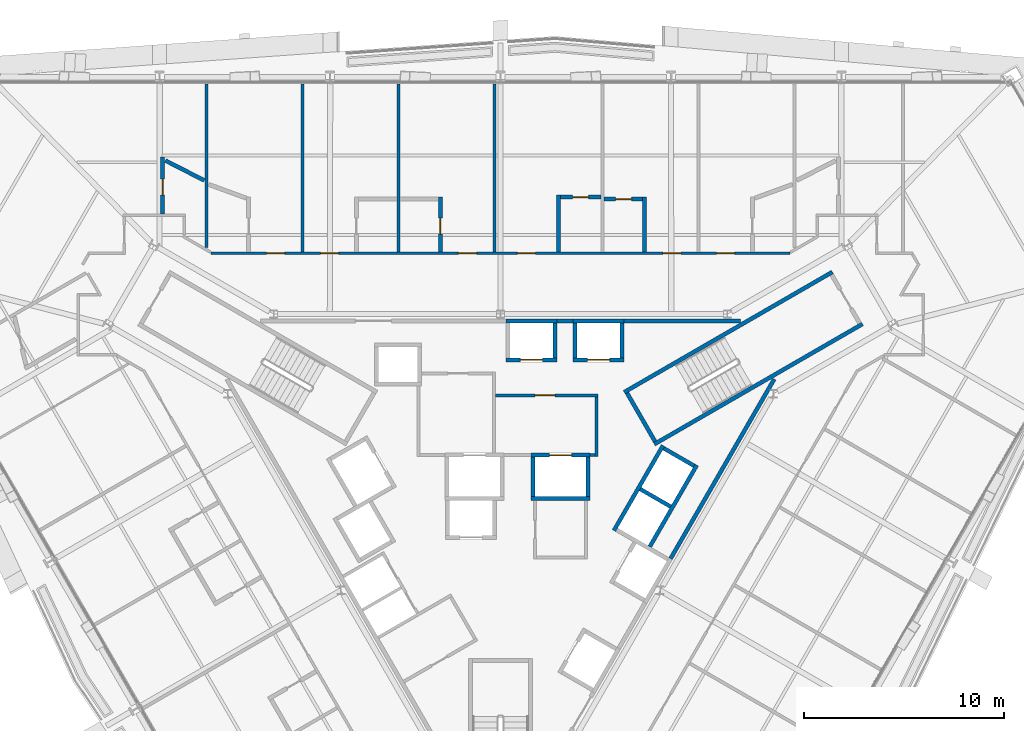
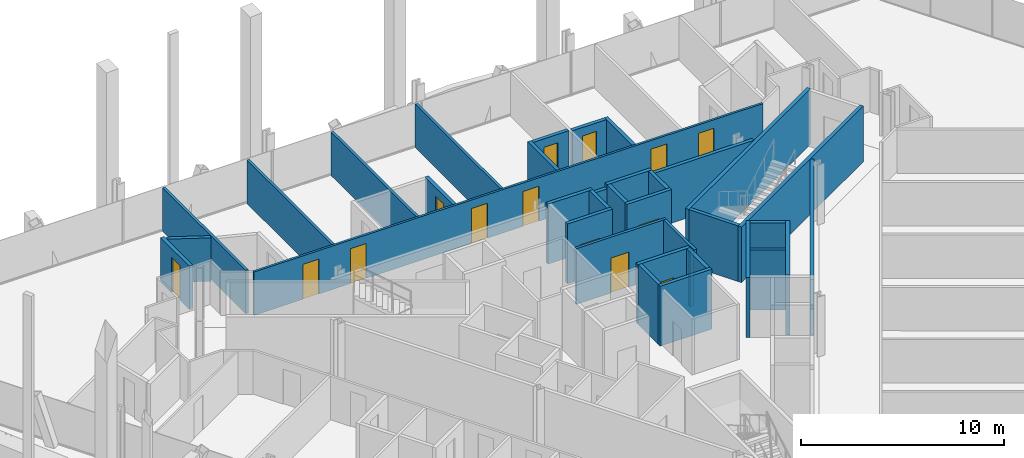
# One storey, part 14 of 18: 36 walls, 14 doors, 14 openings.
"""IFC4 building model written with IfcOpenShell, lengths in metres."""

from ifc_helpers import new_model, si_unit, direction, frame, frame_2d, origin, place, context, subcontext, project, spatial, rectangle, extrude, material, layer, layer_set, type_object, element, fill, save


model = new_model("IFC4")

# Units and contexts
model_context = context("Model", 3, precision=1e-05, world=origin(), true_north=direction((0.0, 1.0)))
body_context = subcontext(model_context, "Body", "Model", "MODEL_VIEW")
ifc_project = project(units=[si_unit("LENGTHUNIT", "METRE"), si_unit("AREAUNIT", "SQUARE_METRE"), si_unit("VOLUMEUNIT", "CUBIC_METRE"), si_unit("PLANEANGLEUNIT", "RADIAN"), si_unit("MASSUNIT", "GRAM", prefix="KILO")], contexts=[model_context])

# Site, building, storey
site_placement = place(None, origin())
site = spatial("IfcSite", under=ifc_project, at=site_placement, CompositionType="ELEMENT")
building_placement = place(site_placement, origin())
building = spatial("IfcBuilding", under=site, at=building_placement, Name="Verrane Prism Tower", CompositionType="ELEMENT")
storey_placement = place(building_placement, frame((0.0, 0.0, 47.60009765625)))
storey = spatial("IfcBuildingStorey", under=building, at=storey_placement, Name="L09", CompositionType="ELEMENT", Elevation=47.60009765625)

# Walls
ifc_material_1 = material(Name="Gypsum board partition", Category="other")
ifc_layer_1 = layer(ifc_material_1, 0.199951171875)
ifc_layer_set_1 = layer_set([ifc_layer_1], Name="CW-200 core boundary wall 2 h")
wall_type_1 = type_object("IfcWallType", Name="CW-200 core boundary wall 2 h", PredefinedType="PARTITIONING", material=ifc_layer_set_1)
wall_1_placement = place(storey_placement, frame((2.81689453125, 8.860107421875, 0.0), z_axis=(0.0, 0.0, 1.0), x_axis=(1.0, 0.0, 0.0)))
element("IfcWall", 1, at=wall_1_placement, inside=storey, type_object=wall_type_1, Name="Core boundary wall CW3-004", PredefinedType="PARTITIONING", context=body_context, shape_type="SweptSolid", body=[
    extrude(rectangle(XDim=0.80615234375, YDim=0.199951171875, at=frame_2d((0.403076171875, 0.0))), origin(), (0.0, 0.0, 1.0), 3.349853515625),
])
wall_2_placement = place(storey_placement, frame((6.177001953125, 8.860107421875, 0.0), z_axis=(0.0, 0.0, 1.0), x_axis=(1.0, 0.0, 0.0)))
element("IfcWall", 2, at=wall_2_placement, inside=storey, type_object=wall_type_1, Name="Core boundary wall CW3-006", PredefinedType="PARTITIONING", context=body_context, shape_type="SweptSolid", body=[
    extrude(rectangle(XDim=5.81396484375, YDim=0.199951171875, at=frame_2d((2.906982421875, 0.0))), origin(), (0.0, 0.0, 1.0), 3.349853515625),
])
wall_3_placement = place(storey_placement, frame((8.491943359375, -3.011962890625, 0.0), z_axis=(0.0, 0.0, 1.0), x_axis=(0.499972957231, 0.866041016371, 0.0)))
element("IfcWall", 3, at=wall_3_placement, inside=storey, type_object=wall_type_1, Name="Core boundary wall CW3-007", PredefinedType="PARTITIONING", context=body_context, shape_type="SweptSolid", body=[
    extrude(rectangle(XDim=10.3486328125, YDim=0.199951171875, at=frame_2d((5.17431640625, 0.0))), origin(), (0.0, 0.0, 1.0), 3.349853515625),
])
ifc_material_2 = material(Name="Concrete C40/50", Category="concrete")
ifc_layer_2 = layer(ifc_material_2, 0.199951171875)
ifc_layer_set_2 = layer_set([ifc_layer_2], Name="CW-200 stair core wall concrete C40/50 3 h")
wall_type_2 = type_object("IfcWallType", Name="CW-200 stair core wall concrete C40/50 3 h", PredefinedType="PARTITIONING", material=ifc_layer_set_2)
for number, where, z_axis, x_axis, name in (
    (4, (6.17822265625, 5.299072265625, 0.0), (0.0, 0.0, 1.0), (0.866026010844, 0.49999894854, 0.0), "Stair 1 enclosure wall"),
    (5, (7.67822265625, 2.700927734375, 0.0), (0.0, 0.0, 1.0), (0.866026010844, 0.49999894854, 0.0), "Stair 1 enclosure wall"),
):
    element("IfcWall", number, at=place(storey_placement, frame(where, z_axis=z_axis, x_axis=x_axis)), inside=storey, type_object=wall_type_2, Name=name, PredefinedType="PARTITIONING", context=body_context, shape_type="SweptSolid", body=[
        extrude(rectangle(XDim=12.0, YDim=0.199951171875, at=frame_2d((6.0, 0.0))), origin(), (0.0, 0.0, 1.0), 3.349853515625),
    ])
wall_4_placement = place(storey_placement, frame((7.71484375, 2.837646484375, 0.0), z_axis=(0.0, 0.0, 1.0), x_axis=(-0.500049511043, 0.865996816683, 0.0)))
element("IfcWall", 6, at=wall_4_placement, inside=storey, type_object=wall_type_2, Name="Stair 1 enclosure wall", PredefinedType="PARTITIONING", context=body_context, shape_type="SweptSolid", body=[
    extrude(rectangle(XDim=2.800048828125, YDim=0.199951171875, at=frame_2d((1.39990234375, 0.0))), origin(), (0.0, 0.0, 1.0), 3.349853515625),
])
ifc_material_3 = material(Name="Gypsum board shaft wall assembly", Category="other")
ifc_layer_3 = layer(ifc_material_3, 0.199951171875)
ifc_layer_set_3 = layer_set([ifc_layer_3], Name="HW-200 lift shaft wall 2 h")
wall_type_3 = type_object("IfcWallType", Name="HW-200 lift shaft wall 2 h", PredefinedType="PARTITIONING", material=ifc_layer_set_3)
wall_5_placement = place(storey_placement, frame((1.52490234375, 0.0, 0.0), z_axis=(0.0, 0.0, 1.0), x_axis=(1.0, 0.0, 0.0)))
element("IfcWall", 7, at=wall_5_placement, inside=storey, type_object=wall_type_3, Name="Lift shaft wall", PredefinedType="PARTITIONING", context=body_context, shape_type="SweptSolid", body=[
    extrude(rectangle(XDim=2.9501953125, YDim=0.199951171875, at=frame_2d((1.47509765625, 0.0))), origin(), (0.0, 0.0, 1.0), 3.599853515625),
])

# Wall, opening, door
wall_6_placement = place(storey_placement, frame((1.52490234375, 2.14990234375, 0.0), z_axis=(0.0, 0.0, 1.0), x_axis=(1.0, 0.0, 0.0)))
wall_6 = element("IfcWall", 8, at=wall_6_placement, inside=storey, type_object=wall_type_3, Name="Lift shaft wall", PredefinedType="PARTITIONING", context=body_context, shape_type="SweptSolid", body=[
    extrude(rectangle(XDim=2.9501953125, YDim=0.199951171875, at=frame_2d((1.47509765625, 0.0))), origin(), (0.0, 0.0, 1.0), 3.599853515625),
])
opening_1_placement = place(wall_6_placement, frame((0.925048828125, 0.0, 0.0)))
opening_1 = element("IfcOpeningElement", 9, at=opening_1_placement, cuts=wall_6, Name="Opening D09509", PredefinedType="OPENING", context=body_context, shape_type="SweptSolid", body=[
    extrude(rectangle(XDim=1.10009765625, YDim=2.10009765625, at=frame_2d((0.550048828125, 1.050048828125))), frame((0.0, 0.10986328125, 0.0), z_axis=(0.0, -1.0, 0.0), x_axis=(1.0, 0.0, 0.0)), (0.0, 0.0, 1.0), 0.219970703125),
])
ifc_material_4 = material(Name="Stainless steel sliding landing door", Category="steel")
door_type_1 = type_object("IfcDoorType", Name="LD-1100x2100 lift landing door FD90 sliding", OperationType="NOTDEFINED", PredefinedType="DOOR", material=ifc_material_4)
door_1_placement = place(opening_1_placement, origin())
door_1 = element("IfcDoor", 10, at=door_1_placement, inside=storey, type_object=door_type_1, Name="Fire service lift 2 landing door", OperationType="SLIDING_TO_RIGHT", OverallHeight=2.10009765625, OverallWidth=1.10009765625, PredefinedType="DOOR", context=body_context, shape_type="SweptSolid", body=[
    extrude(rectangle(XDim=1.10009765625, YDim=2.10009765625, at=frame_2d((0.550048828125, 1.050048828125))), frame((0.0, 0.02490234375, 0.0), z_axis=(0.0, -1.0, 0.0), x_axis=(1.0, 0.0, 0.0)), (0.0, 0.0, 1.0), 0.050048828125),
])
fill(opening_1, door_1)

wall_7_placement = place(storey_placement, frame((0.264892578125, 6.909912109375, 0.0), z_axis=(0.0, 0.0, 1.0), x_axis=(1.0, 0.0, 0.0)))
wall_7 = element("IfcWall", 11, at=wall_7_placement, inside=storey, type_object=wall_type_3, Name="Lift shaft wall", PredefinedType="PARTITIONING", context=body_context, shape_type="SweptSolid", body=[
    extrude(rectangle(XDim=2.550048828125, YDim=0.199951171875, at=frame_2d((1.27490234375, 0.0))), origin(), (0.0, 0.0, 1.0), 3.599853515625),
])
opening_2_placement = place(wall_7_placement, frame((0.72509765625, 0.0, 0.0)))
opening_2 = element("IfcOpeningElement", 12, at=opening_2_placement, cuts=wall_7, Name="Opening D09503", PredefinedType="OPENING", context=body_context, shape_type="SweptSolid", body=[
    extrude(rectangle(XDim=1.10009765625, YDim=2.10009765625, at=frame_2d((0.550048828125, 1.050048828125))), frame((0.0, 0.10986328125, 0.0), z_axis=(0.0, -1.0, 0.0), x_axis=(1.0, 0.0, 0.0)), (0.0, 0.0, 1.0), 0.219970703125),
])
door_2_placement = place(opening_2_placement, origin())
door_2 = element("IfcDoor", 13, at=door_2_placement, inside=storey, type_object=door_type_1, Name="Bank A lift 1 landing door", OperationType="SLIDING_TO_LEFT", OverallHeight=2.10009765625, OverallWidth=1.10009765625, PredefinedType="DOOR", context=body_context, shape_type="SweptSolid", body=[
    extrude(rectangle(XDim=1.10009765625, YDim=2.10009765625, at=frame_2d((0.550048828125, 1.050048828125))), frame((0.0, 0.02490234375, 0.0), z_axis=(0.0, -1.0, 0.0), x_axis=(1.0, 0.0, 0.0)), (0.0, 0.0, 1.0), 0.050048828125),
])
fill(opening_2, door_2)

wall_8_placement = place(storey_placement, frame((3.625, 6.909912109375, 0.0), z_axis=(0.0, 0.0, 1.0), x_axis=(1.0, 0.0, 0.0)))
wall_8 = element("IfcWall", 14, at=wall_8_placement, inside=storey, type_object=wall_type_3, Name="Lift shaft wall", PredefinedType="PARTITIONING", context=body_context, shape_type="SweptSolid", body=[
    extrude(rectangle(XDim=2.550048828125, YDim=0.199951171875, at=frame_2d((1.27490234375, 0.0))), origin(), (0.0, 0.0, 1.0), 3.599853515625),
])
opening_3_placement = place(wall_8_placement, frame((0.72509765625, 0.0, 0.0)))
opening_3 = element("IfcOpeningElement", 15, at=opening_3_placement, cuts=wall_8, Name="Opening D09505", PredefinedType="OPENING", context=body_context, shape_type="SweptSolid", body=[
    extrude(rectangle(XDim=1.10009765625, YDim=2.10009765625, at=frame_2d((0.550048828125, 1.050048828125))), frame((0.0, 0.10986328125, 0.0), z_axis=(0.0, -1.0, 0.0), x_axis=(1.0, 0.0, 0.0)), (0.0, 0.0, 1.0), 0.219970703125),
])
door_3_placement = place(opening_3_placement, origin())
door_3 = element("IfcDoor", 16, at=door_3_placement, inside=storey, type_object=door_type_1, Name="Bank A lift 3 landing door", OperationType="SLIDING_TO_LEFT", OverallHeight=2.10009765625, OverallWidth=1.10009765625, PredefinedType="DOOR", context=body_context, shape_type="SweptSolid", body=[
    extrude(rectangle(XDim=1.10009765625, YDim=2.10009765625, at=frame_2d((0.550048828125, 1.050048828125))), frame((0.0, 0.02490234375, 0.0), z_axis=(0.0, -1.0, 0.0), x_axis=(1.0, 0.0, 0.0)), (0.0, 0.0, 1.0), 0.050048828125),
])
fill(opening_3, door_3)

# Walls
for number, where, z_axis, x_axis, name in (
    (17, (0.264892578125, 8.860107421875, 0.0), (0.0, 0.0, 1.0), (1.0, 0.0, 0.0), "Lift shaft wall"),
    (18, (3.625, 8.860107421875, 0.0), (0.0, 0.0, 1.0), (1.0, 0.0, 0.0), "Lift shaft wall"),
):
    element("IfcWall", number, at=place(storey_placement, frame(where, z_axis=z_axis, x_axis=x_axis)), inside=storey, type_object=wall_type_3, Name=name, PredefinedType="PARTITIONING", context=body_context, shape_type="SweptSolid", body=[
        extrude(rectangle(XDim=2.550048828125, YDim=0.199951171875, at=frame_2d((1.27490234375, 0.0))), origin(), (0.0, 0.0, 1.0), 3.599853515625),
    ])
wall_9_placement = place(storey_placement, frame((7.451171875, -2.4140625, 0.0), z_axis=(0.0, 0.0, 1.0), x_axis=(0.500016218704, 0.866016039709, 0.0)))
element("IfcWall", 19, at=wall_9_placement, inside=storey, type_object=wall_type_3, Name="Lift shaft wall", PredefinedType="PARTITIONING", context=body_context, shape_type="SweptSolid", body=[
    extrude(rectangle(XDim=4.699951171875, YDim=0.199951171875, at=frame_2d((2.35009765625, 0.0))), origin(), (0.0, 0.0, 1.0), 3.599853515625),
])
wall_10_placement = place(storey_placement, frame((5.66259765625, -1.6123046875, 0.0), z_axis=(0.0, 0.0, 1.0), x_axis=(0.49998122708, 0.866036242063, 0.0)))
element("IfcWall", 20, at=wall_10_placement, inside=storey, type_object=wall_type_3, Name="Lift shaft wall", PredefinedType="PARTITIONING", context=body_context, shape_type="SweptSolid", body=[
    extrude(rectangle(XDim=4.900146484375, YDim=0.199951171875, at=frame_2d((2.4501953125, 0.0))), origin(), (0.0, 0.0, 1.0), 3.599853515625),
])
wall_11_placement = place(storey_placement, frame((6.074951171875, 7.010009765625, 0.0), z_axis=(0.0, 0.0, 1.0), x_axis=(0.0, 1.0, 0.0)))
element("IfcWall", 21, at=wall_11_placement, inside=storey, type_object=wall_type_3, Name="Lift shaft wall", PredefinedType="PARTITIONING", context=body_context, shape_type="SweptSolid", body=[
    extrude(rectangle(XDim=1.75, YDim=0.199951171875, at=frame_2d((0.875, 0.0))), origin(), (0.0, 0.0, 1.0), 3.599853515625),
])
wall_12_placement = place(storey_placement, frame((4.375, 0.10009765625, 0.0), z_axis=(0.0, 0.0, 1.0), x_axis=(0.0, 1.0, 0.0)))
element("IfcWall", 22, at=wall_12_placement, inside=storey, type_object=wall_type_3, Name="Lift shaft wall", PredefinedType="PARTITIONING", context=body_context, shape_type="SweptSolid", body=[
    extrude(rectangle(XDim=1.949951171875, YDim=0.199951171875, at=frame_2d((0.97509765625, 0.0))), origin(), (0.0, 0.0, 1.0), 3.599853515625),
])
for number, where, z_axis, x_axis, name in (
    (23, (3.72509765625, 7.010009765625, 0.0), (0.0, 0.0, 1.0), (0.0, 1.0, 0.0), "Lift shaft wall"),
    (24, (2.715087890625, 7.010009765625, 0.0), (0.0, 0.0, 1.0), (0.0, 1.0, 0.0), "Lift shaft wall"),
):
    element("IfcWall", number, at=place(storey_placement, frame(where, z_axis=z_axis, x_axis=x_axis)), inside=storey, type_object=wall_type_3, Name=name, PredefinedType="PARTITIONING", context=body_context, shape_type="SweptSolid", body=[
        extrude(rectangle(XDim=1.75, YDim=0.199951171875, at=frame_2d((0.875, 0.0))), origin(), (0.0, 0.0, 1.0), 3.599853515625),
    ])
wall_13_placement = place(storey_placement, frame((1.625, 0.10009765625, 0.0), z_axis=(0.0, 0.0, 1.0), x_axis=(0.0, 1.0, 0.0)))
element("IfcWall", 25, at=wall_13_placement, inside=storey, type_object=wall_type_3, Name="Lift shaft wall", PredefinedType="PARTITIONING", context=body_context, shape_type="SweptSolid", body=[
    extrude(rectangle(XDim=1.949951171875, YDim=0.199951171875, at=frame_2d((0.97509765625, 0.0))), origin(), (0.0, 0.0, 1.0), 3.599853515625),
])
wall_14_placement = place(storey_placement, frame((9.66455078125, 1.61962890625, 0.0), z_axis=(0.0, 0.0, 1.0), x_axis=(-0.866002029911, 0.500040482552, 0.0)))
element("IfcWall", 26, at=wall_14_placement, inside=storey, type_object=wall_type_3, Name="Lift shaft wall", PredefinedType="PARTITIONING", context=body_context, shape_type="SweptSolid", body=[
    extrude(rectangle(XDim=1.749755859375, YDim=0.199951171875, at=frame_2d((0.875, 0.0))), origin(), (0.0, 0.0, 1.0), 3.599853515625),
])
wall_15_placement = place(storey_placement, frame((8.48974609375, -0.41552734375, 0.0), z_axis=(0.0, 0.0, 1.0), x_axis=(-0.866036909293, 0.499980071345, 0.0)))
element("IfcWall", 27, at=wall_15_placement, inside=storey, type_object=wall_type_3, Name="Lift shaft wall", PredefinedType="PARTITIONING", context=body_context, shape_type="SweptSolid", body=[
    extrude(rectangle(XDim=1.75, YDim=0.199951171875, at=frame_2d((0.875, 0.0))), origin(), (0.0, 0.0, 1.0), 3.599853515625),
])

# Wall, opening, door
ifc_material_5 = material(Name="Gypsum board partition", Category="other")
ifc_layer_4 = layer(ifc_material_5, 0.14990234375)
ifc_layer_set_4 = layer_set([ifc_layer_4], Name="LF-150 firefighting lobby wall 1 h")
wall_type_4 = type_object("IfcWallType", Name="LF-150 firefighting lobby wall 1 h", PredefinedType="PARTITIONING", material=ifc_layer_set_4)
wall_16_placement = place(storey_placement, frame((-0.2451171875, 5.139892578125, 0.0), z_axis=(0.0, 0.0, 1.0), x_axis=(1.0, 0.0, 0.0)))
wall_16 = element("IfcWall", 28, at=wall_16_placement, inside=storey, type_object=wall_type_4, Name="Firefighting lobby wall LF1-005", PredefinedType="PARTITIONING", context=body_context, shape_type="SweptSolid", body=[
    extrude(rectangle(XDim=5.110107421875, YDim=0.14990234375, at=frame_2d((2.55517578125, 0.0))), origin(), (0.0, 0.0, 1.0), 3.349853515625),
])
opening_4_placement = place(wall_16_placement, frame((1.97509765625, 0.0, 0.0)))
opening_4 = element("IfcOpeningElement", 29, at=opening_4_placement, cuts=wall_16, Name="Opening D09516", PredefinedType="OPENING", context=body_context, shape_type="SweptSolid", body=[
    extrude(rectangle(XDim=1.0, YDim=2.10009765625, at=frame_2d((0.5, 1.050048828125))), frame((0.0, 0.0849609375, 0.0), z_axis=(0.0, -1.0, 0.0), x_axis=(1.0, 0.0, 0.0)), (0.0, 0.0, 1.0), 0.169921875),
])
ifc_material_6 = material(Name="Timber veneered door leaf", Category="wood")
door_type_2 = type_object("IfcDoorType", Name="DR-1000x2100 FD60 single leaf firefighting lobby", OperationType="NOTDEFINED", PredefinedType="DOOR", material=ifc_material_6)
door_4_placement = place(opening_4_placement, origin())
door_4 = element("IfcDoor", 30, at=door_4_placement, inside=storey, type_object=door_type_2, Name="Firefighting lobby door D09516", OperationType="SINGLE_SWING_RIGHT", OverallHeight=2.10009765625, OverallWidth=1.0, PredefinedType="DOOR", context=body_context, shape_type="SweptSolid", body=[
    extrude(rectangle(XDim=1.0, YDim=2.10009765625, at=frame_2d((0.5, 1.050048828125))), frame((0.0, 0.02490234375, 0.0), z_axis=(0.0, -1.0, 0.0), x_axis=(1.0, 0.0, 0.0)), (0.0, 0.0, 1.0), 0.050048828125),
])
fill(opening_4, door_4)

# Walls
wall_17_placement = place(storey_placement, frame((4.47705078125, 2.159912109375, 0.0), z_axis=(0.0, 0.0, 1.0), x_axis=(1.0, 0.0, 0.0)))
element("IfcWall", 31, at=wall_17_placement, inside=storey, type_object=wall_type_4, Name="Firefighting lobby wall LF1-007", PredefinedType="PARTITIONING", context=body_context, shape_type="SweptSolid", body=[
    extrude(rectangle(XDim=0.238037109375, YDim=0.14990234375, at=frame_2d((0.119140625, 0.0))), origin(), (0.0, 0.0, 1.0), 3.349853515625),
])
wall_18_placement = place(storey_placement, frame((4.7900390625, 2.0849609375, 0.0), z_axis=(0.0, 0.0, 1.0), x_axis=(0.0, 1.0, 0.0)))
element("IfcWall", 32, at=wall_18_placement, inside=storey, type_object=wall_type_4, Name="Firefighting lobby wall LF1-008", PredefinedType="PARTITIONING", context=body_context, shape_type="SweptSolid", body=[
    extrude(rectangle(XDim=2.97998046875, YDim=0.14990234375, at=frame_2d((1.489990234375, 0.0))), origin(), (0.0, 0.0, 1.0), 3.349853515625),
])

# Wall, openings, doors
ifc_material_7 = material(Name="Gypsum board partition", Category="other")
ifc_layer_5 = layer(ifc_material_7, 0.125)
ifc_layer_set_5 = layer_set([ifc_layer_5], Name="PW-125 corridor wall 1 h")
wall_type_5 = type_object("IfcWallType", Name="PW-125 corridor wall 1 h", PredefinedType="PARTITIONING", material=ifc_layer_set_5)
wall_19_placement = place(storey_placement, frame((-14.464599609375, 12.240966796875, 0.0), z_axis=(0.0, 0.0, 1.0), x_axis=(1.0, 0.0, 0.0)))
wall_19 = element("IfcWall", 33, at=wall_19_placement, inside=storey, type_object=wall_type_5, Name="Corridor wall 028", PredefinedType="PARTITIONING", context=body_context, shape_type="SweptSolid", body=[
    extrude(rectangle(XDim=28.92919921875, YDim=0.125, at=frame_2d((14.464599609375, 0.0))), origin(), (0.0, 0.0, 1.0), 2.61279296875),
])
opening_5_placement = place(wall_19_placement, frame((25.25244140625, 0.0, 0.0)))
opening_5 = element("IfcOpeningElement", 34, at=opening_5_placement, cuts=wall_19, Name="Opening D09012", PredefinedType="OPENING", context=body_context, shape_type="SweptSolid", body=[
    extrude(rectangle(XDim=0.89990234375, YDim=2.10009765625, at=frame_2d((0.449951171875, 1.050048828125))), frame((0.0, 0.072509765625, 0.0), z_axis=(0.0, -1.0, 0.0), x_axis=(1.0, 0.0, 0.0)), (0.0, 0.0, 1.0), 0.14501953125),
])
opening_6_placement = place(wall_19_placement, frame((22.564453125, 0.0, 0.0)))
opening_6 = element("IfcOpeningElement", 35, at=opening_6_placement, cuts=wall_19, Name="Opening D09014", PredefinedType="OPENING", context=body_context, shape_type="SweptSolid", body=[
    extrude(rectangle(XDim=0.89990234375, YDim=2.10009765625, at=frame_2d((0.449951171875, 1.050048828125))), frame((0.0, 0.072509765625, 0.0), z_axis=(0.0, -1.0, 0.0), x_axis=(1.0, 0.0, 0.0)), (0.0, 0.0, 1.0), 0.14501953125),
])
opening_7_placement = place(wall_19_placement, frame((15.302490234375, 0.0, 0.0)))
opening_7 = element("IfcOpeningElement", 36, at=opening_7_placement, cuts=wall_19, Name="Opening D09016", PredefinedType="OPENING", context=body_context, shape_type="SweptSolid", body=[
    extrude(rectangle(XDim=0.89990234375, YDim=2.10009765625, at=frame_2d((0.449951171875, 1.050048828125))), frame((0.0, 0.072509765625, 0.0), z_axis=(0.0, -1.0, 0.0), x_axis=(1.0, 0.0, 0.0)), (0.0, 0.0, 1.0), 0.14501953125),
])
opening_8_placement = place(wall_19_placement, frame((12.364501953125, 0.0, 0.0)))
opening_8 = element("IfcOpeningElement", 37, at=opening_8_placement, cuts=wall_19, Name="Opening D09018", PredefinedType="OPENING", context=body_context, shape_type="SweptSolid", body=[
    extrude(rectangle(XDim=0.89990234375, YDim=2.10009765625, at=frame_2d((0.449951171875, 1.050048828125))), frame((0.0, 0.072509765625, 0.0), z_axis=(0.0, -1.0, 0.0), x_axis=(1.0, 0.0, 0.0)), (0.0, 0.0, 1.0), 0.14501953125),
])
opening_9_placement = place(wall_19_placement, frame((5.4765625, 0.0, 0.0)))
opening_9 = element("IfcOpeningElement", 38, at=opening_9_placement, cuts=wall_19, Name="Opening D09020", PredefinedType="OPENING", context=body_context, shape_type="SweptSolid", body=[
    extrude(rectangle(XDim=0.89990234375, YDim=2.10009765625, at=frame_2d((0.449951171875, 1.050048828125))), frame((0.0, 0.072509765625, 0.0), z_axis=(0.0, -1.0, 0.0), x_axis=(1.0, 0.0, 0.0)), (0.0, 0.0, 1.0), 0.14501953125),
])
opening_10_placement = place(wall_19_placement, frame((2.78857421875, 0.0, 0.0)))
opening_10 = element("IfcOpeningElement", 39, at=opening_10_placement, cuts=wall_19, Name="Opening D09022", PredefinedType="OPENING", context=body_context, shape_type="SweptSolid", body=[
    extrude(rectangle(XDim=0.89990234375, YDim=2.10009765625, at=frame_2d((0.449951171875, 1.050048828125))), frame((0.0, 0.072509765625, 0.0), z_axis=(0.0, -1.0, 0.0), x_axis=(1.0, 0.0, 0.0)), (0.0, 0.0, 1.0), 0.14501953125),
])
ifc_material_8 = material(Name="Timber veneered door leaf", Category="wood")
door_type_3 = type_object("IfcDoorType", Name="DR-900x2100 FD20 single leaf unit", OperationType="NOTDEFINED", PredefinedType="DOOR", material=ifc_material_8)
door_5_placement = place(opening_5_placement, origin())
door_5 = element("IfcDoor", 40, at=door_5_placement, inside=storey, type_object=door_type_3, Name="Guest Room door", OperationType="SINGLE_SWING_RIGHT", OverallHeight=2.10009765625, OverallWidth=0.89990234375, PredefinedType="DOOR", context=body_context, shape_type="SweptSolid", body=[
    extrude(rectangle(XDim=0.89990234375, YDim=2.10009765625, at=frame_2d((0.449951171875, 1.050048828125))), frame((0.0, 0.02490234375, 0.0), z_axis=(0.0, -1.0, 0.0), x_axis=(1.0, 0.0, 0.0)), (0.0, 0.0, 1.0), 0.050048828125),
])
fill(opening_5, door_5)
door_6_placement = place(opening_6_placement, origin())
door_6 = element("IfcDoor", 41, at=door_6_placement, inside=storey, type_object=door_type_3, Name="Guest Room door", OperationType="SINGLE_SWING_RIGHT", OverallHeight=2.10009765625, OverallWidth=0.89990234375, PredefinedType="DOOR", context=body_context, shape_type="SweptSolid", body=[
    extrude(rectangle(XDim=0.89990234375, YDim=2.10009765625, at=frame_2d((0.449951171875, 1.050048828125))), frame((0.0, 0.02490234375, 0.0), z_axis=(0.0, -1.0, 0.0), x_axis=(1.0, 0.0, 0.0)), (0.0, 0.0, 1.0), 0.050048828125),
])
fill(opening_6, door_6)
door_7_placement = place(opening_7_placement, origin())
door_7 = element("IfcDoor", 42, at=door_7_placement, inside=storey, type_object=door_type_3, Name="Guest Room door", OperationType="SINGLE_SWING_RIGHT", OverallHeight=2.10009765625, OverallWidth=0.89990234375, PredefinedType="DOOR", context=body_context, shape_type="SweptSolid", body=[
    extrude(rectangle(XDim=0.89990234375, YDim=2.10009765625, at=frame_2d((0.449951171875, 1.050048828125))), frame((0.0, 0.02490234375, 0.0), z_axis=(0.0, -1.0, 0.0), x_axis=(1.0, 0.0, 0.0)), (0.0, 0.0, 1.0), 0.050048828125),
])
fill(opening_7, door_7)
door_8_placement = place(opening_8_placement, origin())
door_8 = element("IfcDoor", 43, at=door_8_placement, inside=storey, type_object=door_type_3, Name="Guest Room door", OperationType="SINGLE_SWING_RIGHT", OverallHeight=2.10009765625, OverallWidth=0.89990234375, PredefinedType="DOOR", context=body_context, shape_type="SweptSolid", body=[
    extrude(rectangle(XDim=0.89990234375, YDim=2.10009765625, at=frame_2d((0.449951171875, 1.050048828125))), frame((0.0, 0.02490234375, 0.0), z_axis=(0.0, -1.0, 0.0), x_axis=(1.0, 0.0, 0.0)), (0.0, 0.0, 1.0), 0.050048828125),
])
fill(opening_8, door_8)
door_9_placement = place(opening_9_placement, origin())
door_9 = element("IfcDoor", 44, at=door_9_placement, inside=storey, type_object=door_type_3, Name="Guest Room door", OperationType="SINGLE_SWING_RIGHT", OverallHeight=2.10009765625, OverallWidth=0.89990234375, PredefinedType="DOOR", context=body_context, shape_type="SweptSolid", body=[
    extrude(rectangle(XDim=0.89990234375, YDim=2.10009765625, at=frame_2d((0.449951171875, 1.050048828125))), frame((0.0, 0.02490234375, 0.0), z_axis=(0.0, -1.0, 0.0), x_axis=(1.0, 0.0, 0.0)), (0.0, 0.0, 1.0), 0.050048828125),
])
fill(opening_9, door_9)
door_10_placement = place(opening_10_placement, origin())
door_10 = element("IfcDoor", 45, at=door_10_placement, inside=storey, type_object=door_type_3, Name="Guest Room door", OperationType="SINGLE_SWING_RIGHT", OverallHeight=2.10009765625, OverallWidth=0.89990234375, PredefinedType="DOOR", context=body_context, shape_type="SweptSolid", body=[
    extrude(rectangle(XDim=0.89990234375, YDim=2.10009765625, at=frame_2d((0.449951171875, 1.050048828125))), frame((0.0, 0.02490234375, 0.0), z_axis=(0.0, -1.0, 0.0), x_axis=(1.0, 0.0, 0.0)), (0.0, 0.0, 1.0), 0.050048828125),
])
fill(opening_10, door_10)

# Walls
ifc_material_9 = material(Name="Gypsum board partition", Category="other")
ifc_layer_6 = layer(ifc_material_9, 0.14990234375)
ifc_layer_set_6 = layer_set([ifc_layer_6], Name="PW-150 demising wall 1 h")
wall_type_6 = type_object("IfcWallType", Name="PW-150 demising wall 1 h", PredefinedType="PARTITIONING", material=ifc_layer_set_6)
wall_20_placement = place(storey_placement, frame((-14.676025390625, 12.514404296875, 0.0), z_axis=(0.0, 0.0, 1.0), x_axis=(0.0, 1.0, 0.0)))
element("IfcWall", 46, at=wall_20_placement, inside=storey, type_object=wall_type_6, Name="Demising wall 026", PredefinedType="PARTITIONING", context=body_context, shape_type="SweptSolid", body=[
    extrude(rectangle(XDim=8.1806640625, YDim=0.14990234375, at=frame_2d((4.09033203125, 0.0))), origin(), (0.0, 0.0, 1.0), 2.61279296875),
])
for number, where, z_axis, x_axis, name in (
    (47, (-9.887939453125, 12.303466796875, 0.0), (0.0, 0.0, 1.0), (0.0, 1.0, 0.0), "Demising wall 036"),
    (48, (-5.10009765625, 12.303466796875, 0.0), (0.0, 0.0, 1.0), (0.0, 1.0, 0.0), "Demising wall 044"),
    (49, (-0.31201171875, 12.303466796875, 0.0), (0.0, 0.0, 1.0), (0.0, 1.0, 0.0), "Demising wall 051"),
):
    element("IfcWall", number, at=place(storey_placement, frame(where, z_axis=z_axis, x_axis=x_axis)), inside=storey, type_object=wall_type_6, Name=name, PredefinedType="PARTITIONING", context=body_context, shape_type="SweptSolid", body=[
        extrude(rectangle(XDim=8.3916015625, YDim=0.14990234375, at=frame_2d((4.19580078125, 0.0))), origin(), (0.0, 0.0, 1.0), 2.61279296875),
    ])

# Wall, opening, door
ifc_material_10 = material(Name="Gypsum board partition", Category="other")
ifc_layer_7 = layer(ifc_material_10, 0.199951171875)
ifc_layer_set_7 = layer_set([ifc_layer_7], Name="PW-200 plumbing wall")
wall_type_7 = type_object("IfcWallType", Name="PW-200 plumbing wall", PredefinedType="PARTITIONING", material=ifc_layer_set_7)
wall_21_placement = place(storey_placement, frame((-16.8759765625, 17.037109375, 0.0), z_axis=(0.0, 0.0, 1.0), x_axis=(0.0, -1.0, 0.0)))
wall_21 = element("IfcWall", 50, at=wall_21_placement, inside=storey, type_object=wall_type_7, Name="Plumbing wall 018", PredefinedType="PARTITIONING", context=body_context, shape_type="SweptSolid", body=[
    extrude(rectangle(XDim=2.837646484375, YDim=0.199951171875, at=frame_2d((1.4189453125, 0.0))), origin(), (0.0, 0.0, 1.0), 2.61279296875),
])
opening_11_placement = place(wall_21_placement, frame((1.10009765625, 0.0, 0.0)))
opening_11 = element("IfcOpeningElement", 51, at=opening_11_placement, cuts=wall_21, Name="Opening D09025", PredefinedType="OPENING", context=body_context, shape_type="SweptSolid", body=[
    extrude(rectangle(XDim=0.800048828125, YDim=2.10009765625, at=frame_2d((0.39990234375, 1.050048828125))), frame((0.0, 0.10986328125, 0.0), z_axis=(0.0, -1.0, 0.0), x_axis=(1.0, 0.0, 0.0)), (0.0, 0.0, 1.0), 0.219970703125),
])
ifc_material_11 = material(Name="Timber veneered door leaf", Category="wood")
door_type_4 = type_object("IfcDoorType", Name="DR-800x2100 single leaf bath", OperationType="NOTDEFINED", PredefinedType="DOOR", material=ifc_material_11)
door_11_placement = place(opening_11_placement, origin())
door_11 = element("IfcDoor", 52, at=door_11_placement, inside=storey, type_object=door_type_4, Name="En-Suite door", OperationType="SINGLE_SWING_RIGHT", OverallHeight=2.10009765625, OverallWidth=0.800048828125, PredefinedType="DOOR", context=body_context, shape_type="SweptSolid", body=[
    extrude(rectangle(XDim=0.800048828125, YDim=2.10009765625, at=frame_2d((0.39990234375, 1.050048828125))), frame((0.0, 0.02490234375, 0.0), z_axis=(0.0, -1.0, 0.0), x_axis=(1.0, 0.0, 0.0)), (0.0, 0.0, 1.0), 0.050048828125),
])
fill(opening_11, door_11)

# Wall
wall_22_placement = place(storey_placement, frame((-16.72900390625, 16.86181640625, 0.0), z_axis=(0.0, 0.0, 1.0), x_axis=(0.890181338078, -0.455606392995, 0.0)))
element("IfcWall", 53, at=wall_22_placement, inside=storey, type_object=wall_type_7, Name="Plumbing wall 019", PredefinedType="PARTITIONING", context=body_context, shape_type="SweptSolid", body=[
    extrude(rectangle(XDim=2.170654296875, YDim=0.199951171875, at=frame_2d((1.08544921875, 0.0))), origin(), (0.0, 0.0, 1.0), 2.61279296875),
])

# Wall, opening, door
wall_23_placement = place(storey_placement, frame((-3.0, 12.303466796875, 0.0), z_axis=(0.0, 0.0, 1.0), x_axis=(0.0, 1.0, 0.0)))
wall_23 = element("IfcWall", 54, at=wall_23_placement, inside=storey, type_object=wall_type_7, Name="Plumbing wall 048", PredefinedType="PARTITIONING", context=body_context, shape_type="SweptSolid", body=[
    extrude(rectangle(XDim=2.737548828125, YDim=0.199951171875, at=frame_2d((1.36865234375, 0.0))), origin(), (0.0, 0.0, 1.0), 2.61279296875),
])
opening_12_placement = place(wall_23_placement, frame((0.887451171875, 0.0, 0.0)))
opening_12 = element("IfcOpeningElement", 55, at=opening_12_placement, cuts=wall_23, Name="Opening D09019", PredefinedType="OPENING", context=body_context, shape_type="SweptSolid", body=[
    extrude(rectangle(XDim=0.800048828125, YDim=2.10009765625, at=frame_2d((0.39990234375, 1.050048828125))), frame((0.0, 0.10986328125, 0.0), z_axis=(0.0, -1.0, 0.0), x_axis=(1.0, 0.0, 0.0)), (0.0, 0.0, 1.0), 0.219970703125),
])
door_12_placement = place(opening_12_placement, origin())
door_12 = element("IfcDoor", 56, at=door_12_placement, inside=storey, type_object=door_type_4, Name="En-Suite door", OperationType="SINGLE_SWING_LEFT", OverallHeight=2.10009765625, OverallWidth=0.800048828125, PredefinedType="DOOR", context=body_context, shape_type="SweptSolid", body=[
    extrude(rectangle(XDim=0.800048828125, YDim=2.10009765625, at=frame_2d((0.39990234375, 1.050048828125))), frame((0.0, 0.02490234375, 0.0), z_axis=(0.0, -1.0, 0.0), x_axis=(1.0, 0.0, 0.0)), (0.0, 0.0, 1.0), 0.050048828125),
])
fill(opening_12, door_12)

# Wall
wall_24_placement = place(storey_placement, frame((2.89990234375, 12.303466796875, 0.0), z_axis=(0.0, 0.0, 1.0), x_axis=(0.0, 1.0, 0.0)))
element("IfcWall", 57, at=wall_24_placement, inside=storey, type_object=wall_type_7, Name="Plumbing wall 055", PredefinedType="PARTITIONING", context=body_context, shape_type="SweptSolid", body=[
    extrude(rectangle(XDim=2.837646484375, YDim=0.199951171875, at=frame_2d((1.4189453125, 0.0))), origin(), (0.0, 0.0, 1.0), 2.61279296875),
])

# Wall, opening, door
wall_25_placement = place(storey_placement, frame((5.02490234375, 15.041015625, 0.0), z_axis=(0.0, 0.0, 1.0), x_axis=(-1.0, 0.0, 0.0)))
wall_25 = element("IfcWall", 58, at=wall_25_placement, inside=storey, type_object=wall_type_7, Name="Plumbing wall 056", PredefinedType="PARTITIONING", context=body_context, shape_type="SweptSolid", body=[
    extrude(rectangle(XDim=2.02490234375, YDim=0.199951171875, at=frame_2d((1.012451171875, 0.0))), origin(), (0.0, 0.0, 1.0), 2.61279296875),
])
opening_13_placement = place(wall_25_placement, frame((0.625, 0.0, 0.0)))
opening_13 = element("IfcOpeningElement", 59, at=opening_13_placement, cuts=wall_25, Name="Opening D09017", PredefinedType="OPENING", context=body_context, shape_type="SweptSolid", body=[
    extrude(rectangle(XDim=0.800048828125, YDim=2.10009765625, at=frame_2d((0.39990234375, 1.050048828125))), frame((0.0, 0.10986328125, 0.0), z_axis=(0.0, -1.0, 0.0), x_axis=(1.0, 0.0, 0.0)), (0.0, 0.0, 1.0), 0.219970703125),
])
door_13_placement = place(opening_13_placement, origin())
door_13 = element("IfcDoor", 60, at=door_13_placement, inside=storey, type_object=door_type_4, Name="En-Suite door", OperationType="SINGLE_SWING_RIGHT", OverallHeight=2.10009765625, OverallWidth=0.800048828125, PredefinedType="DOOR", context=body_context, shape_type="SweptSolid", body=[
    extrude(rectangle(XDim=0.800048828125, YDim=2.10009765625, at=frame_2d((0.39990234375, 1.050048828125))), frame((0.0, 0.02490234375, 0.0), z_axis=(0.0, -1.0, 0.0), x_axis=(1.0, 0.0, 0.0)), (0.0, 0.0, 1.0), 0.050048828125),
])
fill(opening_13, door_13)

wall_26_placement = place(storey_placement, frame((7.10009765625, 14.94091796875, 0.0), z_axis=(0.0, 0.0, 1.0), x_axis=(-1.0, 0.0, 0.0)))
wall_26 = element("IfcWall", 61, at=wall_26_placement, inside=storey, type_object=wall_type_7, Name="Plumbing wall 062", PredefinedType="PARTITIONING", context=body_context, shape_type="SweptSolid", body=[
    extrude(rectangle(XDim=1.925048828125, YDim=0.199951171875, at=frame_2d((0.96240234375, 0.0))), origin(), (0.0, 0.0, 1.0), 2.61279296875),
])
opening_14_placement = place(wall_26_placement, frame((0.550048828125, 0.0, 0.0)))
opening_14 = element("IfcOpeningElement", 62, at=opening_14_placement, cuts=wall_26, Name="Opening D09015", PredefinedType="OPENING", context=body_context, shape_type="SweptSolid", body=[
    extrude(rectangle(XDim=0.800048828125, YDim=2.10009765625, at=frame_2d((0.39990234375, 1.050048828125))), frame((0.0, 0.10986328125, 0.0), z_axis=(0.0, -1.0, 0.0), x_axis=(1.0, 0.0, 0.0)), (0.0, 0.0, 1.0), 0.219970703125),
])
door_14_placement = place(opening_14_placement, origin())
door_14 = element("IfcDoor", 63, at=door_14_placement, inside=storey, type_object=door_type_4, Name="En-Suite door", OperationType="SINGLE_SWING_RIGHT", OverallHeight=2.10009765625, OverallWidth=0.800048828125, PredefinedType="DOOR", context=body_context, shape_type="SweptSolid", body=[
    extrude(rectangle(XDim=0.800048828125, YDim=2.10009765625, at=frame_2d((0.39990234375, 1.050048828125))), frame((0.0, 0.02490234375, 0.0), z_axis=(0.0, -1.0, 0.0), x_axis=(1.0, 0.0, 0.0)), (0.0, 0.0, 1.0), 0.050048828125),
])
fill(opening_14, door_14)

# Wall
wall_27_placement = place(storey_placement, frame((7.199951171875, 12.303466796875, 0.0), z_axis=(0.0, 0.0, 1.0), x_axis=(0.0, 1.0, 0.0)))
element("IfcWall", 64, at=wall_27_placement, inside=storey, type_object=wall_type_7, Name="Plumbing wall 064", PredefinedType="PARTITIONING", context=body_context, shape_type="SweptSolid", body=[
    extrude(rectangle(XDim=2.737548828125, YDim=0.199951171875, at=frame_2d((1.36865234375, 0.0))), origin(), (0.0, 0.0, 1.0), 2.61279296875),
])

save(model, "model.ifc")
